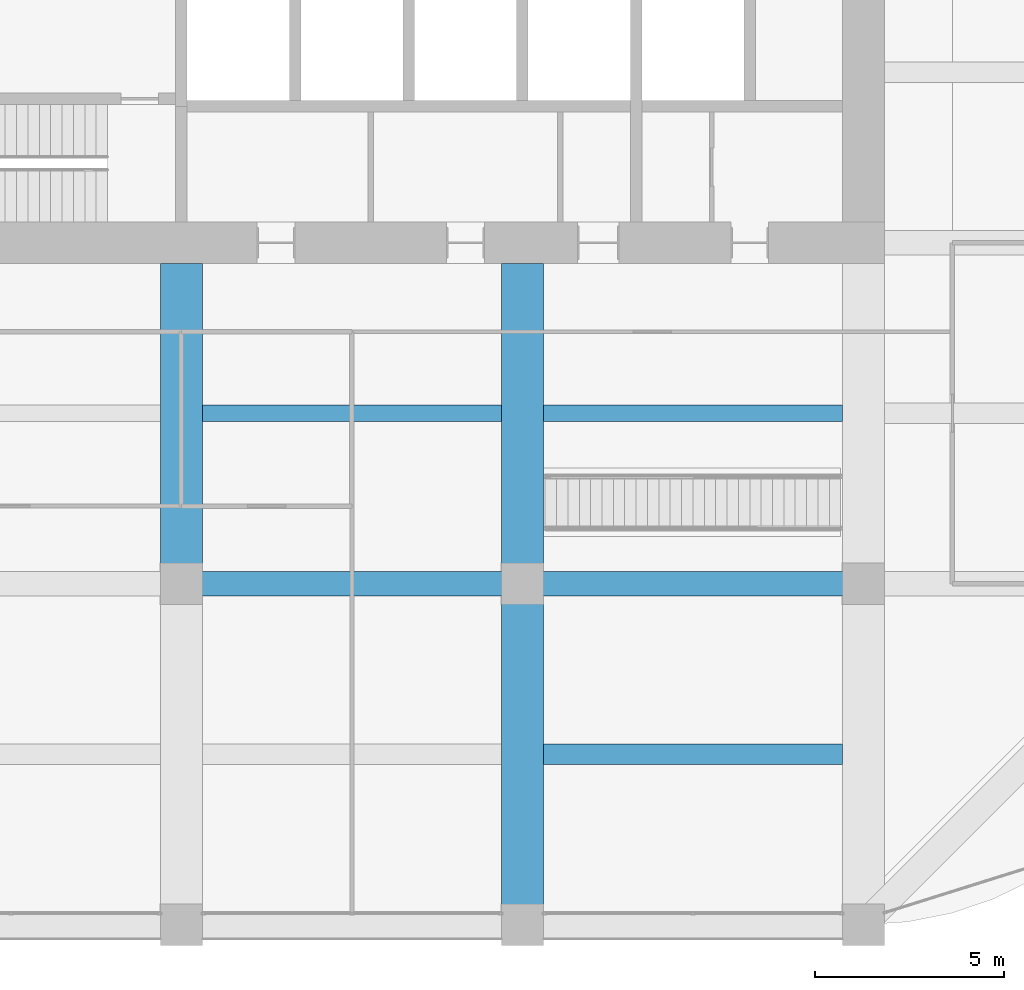
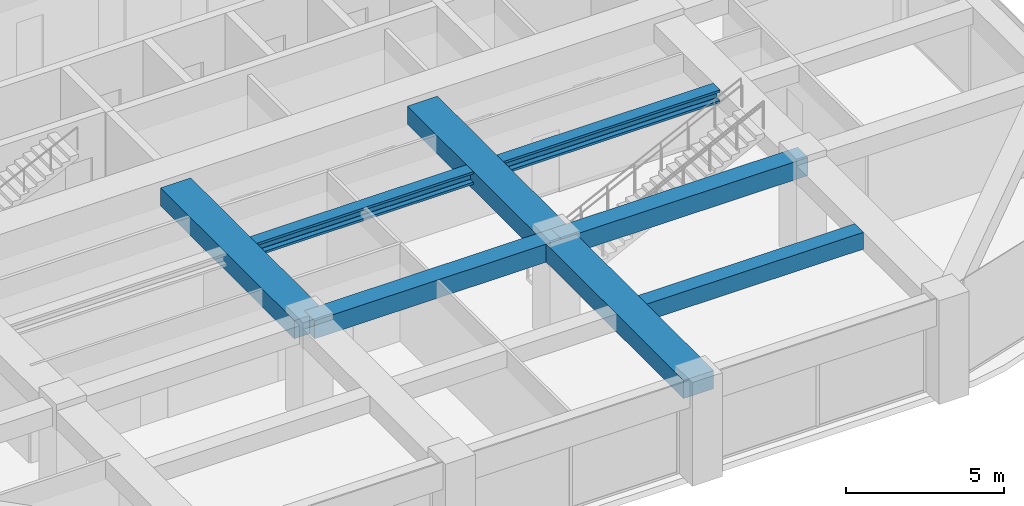
# One storey, part 12 of 44: 8 beams.
"""IFC4 building model written with IfcOpenShell, lengths in metres."""

import ifcopenshell
import ifcopenshell.guid

model = None  # the IFC model being written
_history = None  # IfcOwnerHistory: only IFC2X3 demands one
_inside = {}  # id of a spatial element -> (the spatial element, [elements in it])
_under = {}  # id of a project, library or spatial element -> (it, [spatial elements below it])
_declared = {}  # id of a project -> (the project, [libraries it declares])
_typed = {}  # id of a type object -> (the type object, [elements of that type])
_made_of = {}  # id of a material, layer set ... -> (it, [elements and type objects made of it])


def new_model(schema):
    """Start an empty IFC model of exactly this schema.

    Asked for "IFC4X3", IfcOpenShell would pick the latest addendum, in which some entities
    have other attributes; the version numbers below select the first issue.
    IFC2X3 requires an IfcOwnerHistory on every rooted entity: one is made here for all.
    """
    global model, _history
    if schema == "IFC4X3":
        model = ifcopenshell.file(schema_version=(4, 3, 0, 0))
    else:
        model = ifcopenshell.file(schema=schema)
    _inside.clear()
    _under.clear()
    _declared.clear()
    _typed.clear()
    _made_of.clear()
    _history = None
    if model.schema == "IFC2X3":
        org = make("IfcOrganization", Name="unknown")
        user = make(
            "IfcPersonAndOrganization",
            ThePerson=make("IfcPerson", FamilyName="unknown"),
            TheOrganization=org,
        )
        app = make(
            "IfcApplication",
            ApplicationDeveloper=org,
            Version="unknown",
            ApplicationFullName="unknown",
            ApplicationIdentifier="unknown",
        )
        _history = make(
            "IfcOwnerHistory",
            OwningUser=user,
            OwningApplication=app,
            ChangeAction="ADDED",
            CreationDate=0,
        )
    return model


def make(cls, **values):
    """One entity of the class cls with the attributes given. An attribute that is None is left unset."""
    return model.create_entity(
        cls, **{name: value for name, value in values.items() if value is not None}
    )


def rooted(cls, **values):
    """An entity with a GlobalId (a new one), such as an element, a storey or a relation."""
    return make(cls, GlobalId=ifcopenshell.guid.new(), OwnerHistory=_history, **values)


def si_unit(unit_type, name, prefix=None):
    """IfcSIUnit, for example si_unit("LENGTHUNIT", "METRE", prefix="MILLI")."""
    return make("IfcSIUnit", UnitType=unit_type, Prefix=prefix, Name=name)


def assignment(units):
    """IfcUnitAssignment: the units of a project."""
    return None if units is None else make("IfcUnitAssignment", Units=units)


def point(xyz):
    """IfcCartesianPoint."""
    return None if xyz is None else make("IfcCartesianPoint", Coordinates=xyz)


def direction(xyz):
    """IfcDirection."""
    return None if xyz is None else make("IfcDirection", DirectionRatios=xyz)


def frame(location, z_axis=None, x_axis=None):
    """IfcAxis2Placement3D, a coordinate frame: its origin and axes. An axis left out is left unset."""
    return make(
        "IfcAxis2Placement3D",
        Location=point(location),
        Axis=direction(z_axis),
        RefDirection=direction(x_axis),
    )


def frame_2d(location, x_axis=None):
    """IfcAxis2Placement2D, a coordinate frame in the plane: its origin and x axis."""
    return make(
        "IfcAxis2Placement2D", Location=point(location), RefDirection=direction(x_axis)
    )


def origin():
    """The frame at (0, 0, 0) with its axes left unset."""
    return frame((0.0, 0.0, 0.0))


def origin_2d():
    """The frame at (0, 0) in the plane with its x axis left unset."""
    return frame_2d((0.0, 0.0))


def place(relative_to, where):
    """IfcLocalPlacement: puts the frame where relative to a parent placement (None: the world)."""
    return make(
        "IfcLocalPlacement", PlacementRelTo=relative_to, RelativePlacement=where
    )


def context(
    kind, dimensions, precision=None, world=None, true_north=None, identifier=None
):
    """IfcGeometricRepresentationContext, for example the 3D "Model" context."""
    return make(
        "IfcGeometricRepresentationContext",
        ContextIdentifier=identifier,
        ContextType=kind,
        CoordinateSpaceDimension=dimensions,
        Precision=precision,
        WorldCoordinateSystem=world,
        TrueNorth=true_north,
    )


def subcontext(parent, identifier, kind, view, scale=None):
    """IfcGeometricRepresentationSubContext, for example "Body" below "Model"."""
    return make(
        "IfcGeometricRepresentationSubContext",
        ContextIdentifier=identifier,
        ContextType=kind,
        ParentContext=parent,
        TargetScale=scale,
        TargetView=view,
    )


def project(units=None, contexts=None):
    """IfcProject with its units and contexts."""
    return rooted(
        "IfcProject",
        Name="project",
        RepresentationContexts=contexts,
        UnitsInContext=assignment(units),
    )


def spatial(cls, under=None, at=None, **own):
    """A site, building, storey or space (cls), placed at a placement, below another one or the project."""
    s = rooted(cls, ObjectPlacement=at, **own)
    if under is not None:
        _under.setdefault(under.id(), (under, []))[1].append(s)
    return s


def profile(cls, at=None, kind="AREA", **sizes):
    """A parametric profile (cls). Its sizes go by their IFC names, for example OverallWidth=200.0."""
    return make(cls, ProfileType=kind, Position=at, **sizes)


def rectangle(**sizes):
    """IfcRectangleProfileDef."""
    return profile("IfcRectangleProfileDef", **sizes)


def i_section(**sizes):
    """IfcIShapeProfileDef."""
    return profile("IfcIShapeProfileDef", **sizes)


def extrude(swept, where, along, depth):
    """IfcExtrudedAreaSolid: the profile swept, set in the frame where, extruded along a direction by depth."""
    return make(
        "IfcExtrudedAreaSolid",
        SweptArea=swept,
        Position=where,
        ExtrudedDirection=direction(along),
        Depth=depth,
    )


def shape(context_of_items, identifier, shape_type, items):
    """IfcShapeRepresentation: the items that make up one representation, for example the "Body"."""
    return make(
        "IfcShapeRepresentation",
        ContextOfItems=context_of_items,
        RepresentationIdentifier=identifier,
        RepresentationType=shape_type,
        Items=items,
    )


def material(Name=None, Category=None):
    """IfcMaterial."""
    return make("IfcMaterial", Name=Name, Category=Category)


def material_profile(
    of_material, cross_section, Name=None, Category=None, Priority=None
):
    """IfcMaterialProfile: a cross section and its material."""
    return make(
        "IfcMaterialProfile",
        Name=Name,
        Material=of_material,
        Profile=cross_section,
        Priority=Priority,
        Category=Category,
    )


def profile_set(profiles, Name=None, composite=None):
    """IfcMaterialProfileSet."""
    return make(
        "IfcMaterialProfileSet",
        Name=Name,
        MaterialProfiles=profiles,
        CompositeProfile=composite,
    )


def made_of(thing, what):
    """Note that an element or type object is made of a material, layer set ...; save() writes the relation."""
    if what is not None:
        _made_of.setdefault(what.id(), (what, []))[1].append(thing)
    return thing


def type_object(cls, material=None, **own):
    """A type object (cls), such as IfcWallType, which elements share."""
    return made_of(rooted(cls, **own), material)


def element(
    cls,
    number,
    at=None,
    inside=None,
    cuts=None,
    type_object=None,
    material=None,
    context=None,
    identifier="Body",
    shape_type=None,
    held_by="IfcProductDefinitionShape",
    body=None,
    shapes=None,
    **own,
):
    """One element of the class cls, such as IfcWall. Its Tag is "e" and its number.

    at: its placement. inside: the storey or other place that contains it. cuts: it is an
    opening in that element (IfcRelVoidsElement). A single representation is given by context,
    identifier, shape_type and body (its items); several are given by shapes. held_by: the class
    of the entity that holds the representations. save() writes the other relations.
    """
    e = rooted(cls, Tag="e%d" % number, ObjectPlacement=at, **own)
    if body is not None:
        shapes = [shape(context, identifier, shape_type, body)]
    if shapes is not None:
        e.Representation = make(held_by, Representations=shapes)
    if inside is not None:
        _inside.setdefault(inside.id(), (inside, []))[1].append(e)
    if cuts is not None:
        rooted(
            "IfcRelVoidsElement", RelatingBuildingElement=cuts, RelatedOpeningElement=e
        )
    if type_object is not None:
        _typed.setdefault(type_object.id(), (type_object, []))[1].append(e)
    return made_of(e, material)


def aggregate(whole, parts):
    """IfcRelAggregates: a whole, such as a stair, and the parts it consists of."""
    return rooted("IfcRelAggregates", RelatingObject=whole, RelatedObjects=parts)


def save(model, path):
    """Write the relations noted so far, then the file.

    IfcRelAggregates (storeys below a building ...), IfcRelContainedInSpatialStructure (elements
    in a storey), IfcRelDefinesByType, IfcRelAssociatesMaterial and IfcRelDeclares: one each for
    every whole, place, type object, material and project.
    """
    for whole, parts in _under.values():
        aggregate(whole, parts)
    for where, things in _inside.values():
        rooted(
            "IfcRelContainedInSpatialStructure",
            RelatedElements=things,
            RelatingStructure=where,
        )
    for kind, things in _typed.values():
        rooted("IfcRelDefinesByType", RelatedObjects=things, RelatingType=kind)
    for what, things in _made_of.values():
        rooted("IfcRelAssociatesMaterial", RelatedObjects=things, RelatingMaterial=what)
    for by, libraries in _declared.values():
        rooted("IfcRelDeclares", RelatingContext=by, RelatedDefinitions=libraries)
    model.write(path)


model = new_model("IFC4")

# Units and contexts
model_context = context("Model", 3, precision=1e-05, world=origin(), true_north=direction((0.0, 1.0)))
body_context = subcontext(model_context, "Body", "Model", "MODEL_VIEW")
ifc_project = project(units=[si_unit("LENGTHUNIT", "METRE"), si_unit("AREAUNIT", "SQUARE_METRE"), si_unit("VOLUMEUNIT", "CUBIC_METRE"), si_unit("PLANEANGLEUNIT", "RADIAN"), si_unit("MASSUNIT", "GRAM", prefix="KILO")], contexts=[model_context])

# Site, building, storey
site_placement = place(None, origin())
site = spatial("IfcSite", under=ifc_project, at=site_placement, CompositionType="ELEMENT")
building_placement = place(site_placement, origin())
building = spatial("IfcBuilding", under=site, at=building_placement, Name="Zorevar Civic Tower", CompositionType="ELEMENT")
storey_placement = place(building_placement, frame((0.0, 0.0, 251.39990234375)))
storey = spatial("IfcBuildingStorey", under=building, at=storey_placement, Name="L61", CompositionType="ELEMENT", Elevation=251.39990234375)

# Beams
ifc_material_1 = material(Name="Concrete C50/60", Category="concrete")
ifc_material_profile_1 = material_profile(ifc_material_1, rectangle(XDim=1.10009765625, YDim=0.699951171875, at=origin_2d()), Name="RC 1100x700")
ifc_profile_set_1 = profile_set([ifc_material_profile_1], Name="Concrete C50/60")
beam_type_1 = type_object("IfcBeamType", Name="Beam RC 1100x700", PredefinedType="BEAM", material=ifc_profile_set_1)
beam_1_placement = place(storey_placement, frame((27.0, 9.0, 3.400146484375), z_axis=(0.0, 1.0, 0.0), x_axis=(-1.0, 0.0, 0.0)))
element("IfcBeam", 1, at=beam_1_placement, inside=storey, type_object=beam_type_1, Name="Girder L62", PredefinedType="BEAM", context=body_context, shape_type="SweptSolid", body=[
    extrude(rectangle(XDim=1.10009765625, YDim=0.699951171875, at=origin_2d()), origin(), (0.0, 0.0, 1.0), 8.449951171875),
])
beam_2_placement = place(storey_placement, frame((36.0, 0.0, 3.400146484375), z_axis=(0.0, 1.0, 0.0), x_axis=(-1.0, 0.0, 0.0)))
element("IfcBeam", 2, at=beam_2_placement, inside=storey, type_object=beam_type_1, Name="Girder L62", PredefinedType="BEAM", context=body_context, shape_type="SweptSolid", body=[
    extrude(rectangle(XDim=1.10009765625, YDim=0.699951171875, at=origin_2d()), origin(), (0.0, 0.0, 1.0), 9.0),
])
beam_3_placement = place(storey_placement, frame((36.0, 9.0, 3.400146484375), z_axis=(0.0, 1.0, 0.0), x_axis=(-1.0, 0.0, 0.0)))
element("IfcBeam", 3, at=beam_3_placement, inside=storey, type_object=beam_type_1, Name="Girder L62", PredefinedType="BEAM", context=body_context, shape_type="SweptSolid", body=[
    extrude(rectangle(XDim=1.10009765625, YDim=0.699951171875, at=origin_2d()), origin(), (0.0, 0.0, 1.0), 8.449951171875),
])
ifc_material_2 = material(Name="Concrete C50/60", Category="concrete")
ifc_material_profile_2 = material_profile(ifc_material_2, rectangle(XDim=0.550048828125, YDim=0.64990234375, at=origin_2d()), Name="RC 550x650")
ifc_profile_set_2 = profile_set([ifc_material_profile_2], Name="Concrete C50/60")
beam_type_2 = type_object("IfcBeamType", Name="Beam RC 550x650", PredefinedType="BEAM", material=ifc_profile_set_2)
beam_4_placement = place(storey_placement, frame((36.550048828125, 4.5, 3.425048828125), z_axis=(1.0, 0.0, 0.0), x_axis=(0.0, 1.0, 0.0)))
element("IfcBeam", 4, at=beam_4_placement, inside=storey, type_object=beam_type_2, Name="Secondary beam L62", PredefinedType="BEAM", context=body_context, shape_type="SweptSolid", body=[
    extrude(rectangle(XDim=0.550048828125, YDim=0.64990234375, at=origin_2d()), origin(), (0.0, 0.0, 1.0), 7.89990234375),
])
ifc_material_3 = material(Name="Concrete C50/60", Category="concrete")
ifc_material_profile_3 = material_profile(ifc_material_3, rectangle(XDim=0.64990234375, YDim=0.699951171875, at=origin_2d()), Name="RC 650x700")
ifc_profile_set_3 = profile_set([ifc_material_profile_3], Name="Concrete C50/60")
beam_type_3 = type_object("IfcBeamType", Name="Beam RC 650x700", PredefinedType="BEAM", material=ifc_profile_set_3)
for number, where, z_axis, x_axis, name in (
    (5, (27.0, 9.0, 3.400146484375), (1.0, 0.0, 0.0), (0.0, 1.0, 0.0), "Girder L62"),
    (6, (36.0, 9.0, 3.400146484375), (1.0, 0.0, 0.0), (0.0, 1.0, 0.0), "Girder L62"),
):
    element("IfcBeam", number, at=place(storey_placement, frame(where, z_axis=z_axis, x_axis=x_axis)), inside=storey, type_object=beam_type_3, Name=name, PredefinedType="BEAM", context=body_context, shape_type="SweptSolid", body=[
        extrude(rectangle(XDim=0.64990234375, YDim=0.699951171875, at=origin_2d()), origin(), (0.0, 0.0, 1.0), 9.0),
    ])
ifc_material_4 = material(Name="Steel S460M (HISTAR 460)", Category="steel")
ifc_material_profile_4 = material_profile(ifc_material_4, i_section(OverallWidth=0.431884765625, OverallDepth=0.498046875, WebThickness=0.0556640625, FlangeThickness=0.0888671875, FilletRadius=0.014892578125, at=origin_2d()), Name="HD 400x744")
ifc_profile_set_4 = profile_set([ifc_material_profile_4], Name="Steel S460M (HISTAR 460)")
beam_type_4 = type_object("IfcBeamType", Name="Core bay beam HD 400x744", PredefinedType="BEAM", material=ifc_profile_set_4)
for number, where, z_axis, x_axis, name in (
    (7, (27.550048828125, 13.5, 3.5009765625), (1.0, 0.0, 0.0), (0.0, 1.0, 0.0), "Secondary beam L62"),
    (8, (36.550048828125, 13.5, 3.5009765625), (1.0, 0.0, 0.0), (0.0, 1.0, 0.0), "Secondary beam L62"),
):
    element("IfcBeam", number, at=place(storey_placement, frame(where, z_axis=z_axis, x_axis=x_axis)), inside=storey, type_object=beam_type_4, Name=name, PredefinedType="BEAM", context=body_context, shape_type="SweptSolid", body=[
        extrude(i_section(OverallWidth=0.431884765625, OverallDepth=0.498046875, WebThickness=0.0556640625, FlangeThickness=0.0888671875, FilletRadius=0.014892578125, at=origin_2d()), origin(), (0.0, 0.0, 1.0), 7.89990234375),
    ])

save(model, "model.ifc")
